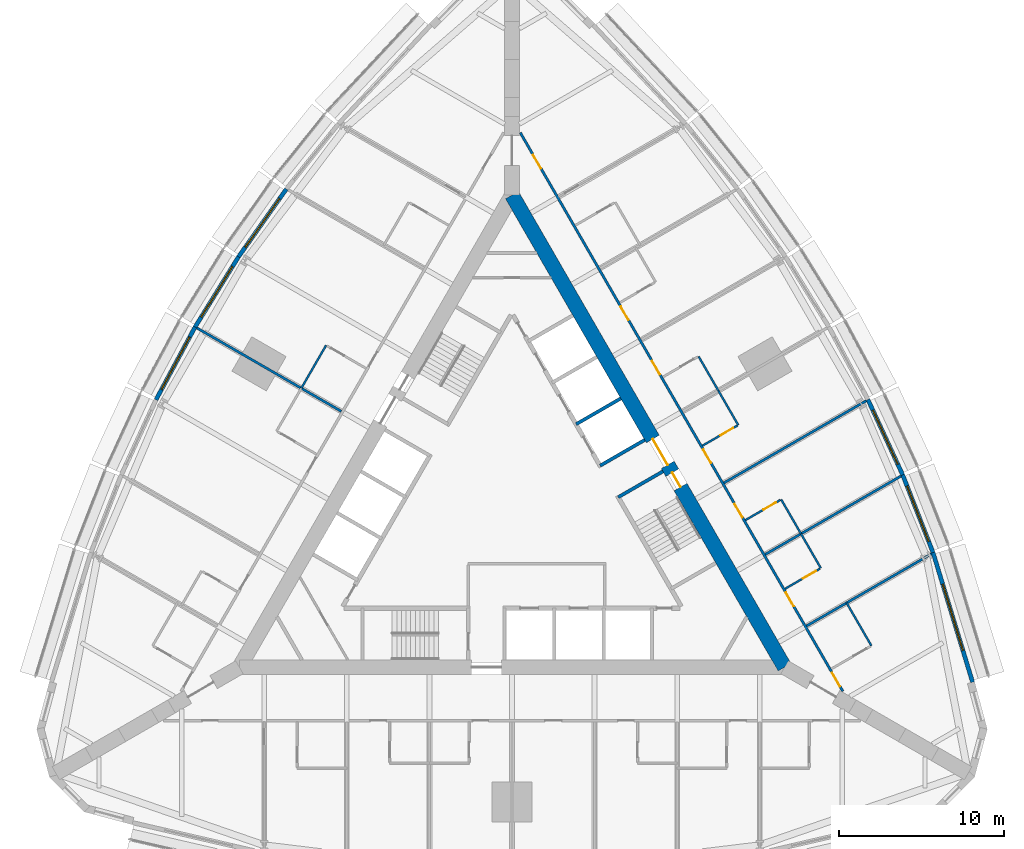
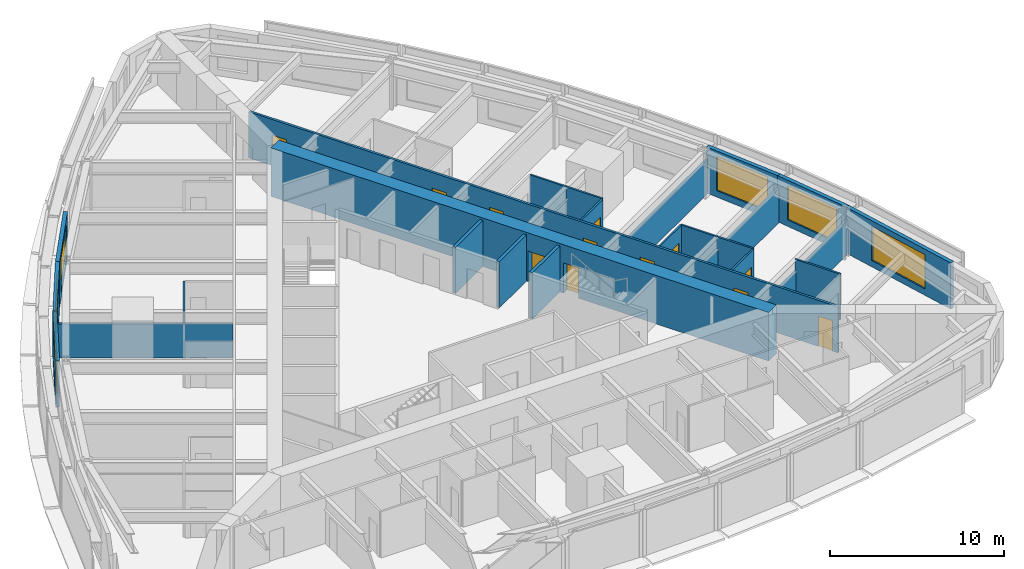
# One storey, part 11 of 14: 24 walls, 12 doors, 6 windows, 18 openings.
"""IFC4 building model written with IfcOpenShell, lengths in metres."""

from ifc_helpers import new_model, si_unit, direction, frame, frame_2d, origin, place, context, subcontext, project, spatial, rectangle, extrude, material, layer, layer_set, type_object, element, fill, save


model = new_model("IFC4")

# Units and contexts
model_context = context("Model", 3, precision=1e-05, world=origin(), true_north=direction((0.0, 1.0)))
body_context = subcontext(model_context, "Body", "Model", "MODEL_VIEW")
ifc_project = project(units=[si_unit("LENGTHUNIT", "METRE"), si_unit("AREAUNIT", "SQUARE_METRE"), si_unit("VOLUMEUNIT", "CUBIC_METRE"), si_unit("PLANEANGLEUNIT", "RADIAN"), si_unit("MASSUNIT", "GRAM", prefix="KILO")], contexts=[model_context])

# Site, building, storey
site_placement = place(None, origin())
site = spatial("IfcSite", under=ifc_project, at=site_placement, CompositionType="ELEMENT")
building_placement = place(site_placement, origin())
building = spatial("IfcBuilding", under=site, at=building_placement, Name="Trikona Tower", CompositionType="ELEMENT")
storey_placement = place(building_placement, frame((0.0, 0.0, 28.5)))
storey = spatial("IfcBuildingStorey", under=building, at=storey_placement, Name="L05", CompositionType="ELEMENT", Elevation=28.5)

# Walls
ifc_material_1 = material(Name="Metal stud and cement board", Category="gypsum")
ifc_layer_1 = layer(ifc_material_1, 0.1201171875)
ifc_layer_set_1 = layer_set([ifc_layer_1], Name="Bathroom wall 120")
wall_type_1 = type_object("IfcWallType", Name="Bathroom wall 120", PredefinedType="PLUMBINGWALL", material=ifc_layer_set_1)
wall_1_placement = place(storey_placement, frame((21.75341796875, -8.225341796875, 0.0), z_axis=(0.0, 0.0, 1.0), x_axis=(-0.499990139034, 0.866031096941, 0.0)))
element("IfcWall", 1, at=wall_1_placement, inside=storey, type_object=wall_type_1, Name="Bathroom wall 0507", PredefinedType="PLUMBINGWALL", context=body_context, shape_type="SweptSolid", body=[
    extrude(rectangle(XDim=3.0, YDim=0.1201171875, at=frame_2d((1.5, 0.0))), origin(), (0.0, 0.0, 1.0), 3.235107421875),
])
wall_2_placement = place(storey_placement, frame((18.693603515625, -3.525634765625, 0.0), z_axis=(0.0, 0.0, 1.0), x_axis=(-0.500033551112, 0.866006032174, 0.0)))
element("IfcWall", 2, at=wall_2_placement, inside=storey, type_object=wall_type_1, Name="Bathroom wall 0508", PredefinedType="PLUMBINGWALL", context=body_context, shape_type="SweptSolid", body=[
    extrude(rectangle(XDim=2.400146484375, YDim=0.1201171875, at=frame_2d((1.2001953125, 0.0))), origin(), (0.0, 0.0, 1.0), 3.235107421875),
])

# Wall, opening, door
wall_3_placement = place(storey_placement, frame((16.528564453125, -4.775634765625, 0.0), z_axis=(0.0, 0.0, 1.0), x_axis=(0.866023955769, 0.500002508028, 0.0)))
wall_3 = element("IfcWall", 3, at=wall_3_placement, inside=storey, type_object=wall_type_1, Name="Bathroom wall 0508", PredefinedType="PLUMBINGWALL", context=body_context, shape_type="SweptSolid", body=[
    extrude(rectangle(XDim=2.43994140625, YDim=0.1201171875, at=frame_2d((1.219970703125, 0.0))), origin(), (0.0, 0.0, 1.0), 3.235107421875),
])
opening_1_placement = place(wall_3_placement, frame((1.25, 0.0, 0.0)))
opening_1 = element("IfcOpeningElement", 4, at=opening_1_placement, cuts=wall_3, Name="Opening D2", PredefinedType="OPENING", context=body_context, shape_type="SweptSolid", body=[
    extrude(rectangle(XDim=0.89990234375, YDim=2.1298828125, at=frame_2d((0.449951171875, 1.06494140625))), frame((0.0, 0.070068359375, 0.0), z_axis=(0.0, -1.0, 0.0), x_axis=(1.0, 0.0, 0.0)), (0.0, 0.0, 1.0), 0.14013671875),
])
ifc_material_2 = material(Name="Steel door frame with solid-core timber leaf", Category="steel")
door_type_1 = type_object("IfcDoorType", Name="Bathroom door 900x2130", OperationType="SLIDING_TO_LEFT", PredefinedType="DOOR", material=ifc_material_2)
door_1_placement = place(opening_1_placement, origin())
door_1 = element("IfcDoor", 5, at=door_1_placement, inside=storey, type_object=door_type_1, Name="Bathroom door 0508", OperationType="SLIDING_TO_LEFT", OverallHeight=2.1298828125, OverallWidth=0.89990234375, PredefinedType="DOOR", context=body_context, shape_type="SweptSolid", body=[
    extrude(rectangle(XDim=0.89990234375, YDim=2.1298828125, at=frame_2d((0.449951171875, 1.06494140625))), frame((0.0, 0.02490234375, 0.0), z_axis=(0.0, -1.0, 0.0), x_axis=(1.0, 0.0, 0.0)), (0.0, 0.0, 1.0), 0.050048828125),
])
fill(opening_1, door_1)

# Wall
wall_4_placement = place(storey_placement, frame((17.493408203125, -1.447021484375, 0.0), z_axis=(0.0, 0.0, 1.0), x_axis=(-0.500001309137, 0.866024647952, 0.0)))
element("IfcWall", 6, at=wall_4_placement, inside=storey, type_object=wall_type_1, Name="Bathroom wall 0509", PredefinedType="PLUMBINGWALL", context=body_context, shape_type="SweptSolid", body=[
    extrude(rectangle(XDim=2.39990234375, YDim=0.1201171875, at=frame_2d((1.199951171875, 0.0))), origin(), (0.0, 0.0, 1.0), 3.235107421875),
])

# Wall, opening, door
wall_5_placement = place(storey_placement, frame((14.12841796875, -0.61865234375, 0.0), z_axis=(0.0, 0.0, 1.0), x_axis=(0.866048967903, 0.499959183527, 0.0)))
wall_5 = element("IfcWall", 7, at=wall_5_placement, inside=storey, type_object=wall_type_1, Name="Bathroom wall 0509", PredefinedType="PLUMBINGWALL", context=body_context, shape_type="SweptSolid", body=[
    extrude(rectangle(XDim=2.440185546875, YDim=0.1201171875, at=frame_2d((1.22021484375, 0.0))), origin(), (0.0, 0.0, 1.0), 3.235107421875),
])
opening_2_placement = place(wall_5_placement, frame((1.25, 0.0, 0.0)))
opening_2 = element("IfcOpeningElement", 8, at=opening_2_placement, cuts=wall_5, Name="Opening D2", PredefinedType="OPENING", context=body_context, shape_type="SweptSolid", body=[
    extrude(rectangle(XDim=0.89990234375, YDim=2.1298828125, at=frame_2d((0.449951171875, 1.06494140625))), frame((0.0, 0.070068359375, 0.0), z_axis=(0.0, -1.0, 0.0), x_axis=(1.0, 0.0, 0.0)), (0.0, 0.0, 1.0), 0.14013671875),
])
door_2_placement = place(opening_2_placement, origin())
door_2 = element("IfcDoor", 9, at=door_2_placement, inside=storey, type_object=door_type_1, Name="Bathroom door 0509", OperationType="SLIDING_TO_LEFT", OverallHeight=2.1298828125, OverallWidth=0.89990234375, PredefinedType="DOOR", context=body_context, shape_type="SweptSolid", body=[
    extrude(rectangle(XDim=0.89990234375, YDim=2.1298828125, at=frame_2d((0.449951171875, 1.06494140625))), frame((0.0, 0.02490234375, 0.0), z_axis=(0.0, -1.0, 0.0), x_axis=(1.0, 0.0, 0.0)), (0.0, 0.0, 1.0), 0.050048828125),
])
fill(opening_2, door_2)

# Wall
wall_6_placement = place(storey_placement, frame((13.693603515625, 5.134765625, 0.0), z_axis=(0.0, 0.0, 1.0), x_axis=(-0.500077600433, 0.865980596518, 0.0)))
element("IfcWall", 10, at=wall_6_placement, inside=storey, type_object=wall_type_1, Name="Bathroom wall 0510", PredefinedType="PLUMBINGWALL", context=body_context, shape_type="SweptSolid", body=[
    extrude(rectangle(XDim=2.39990234375, YDim=0.1201171875, at=frame_2d((1.199951171875, 0.0))), origin(), (0.0, 0.0, 1.0), 3.235107421875),
])

# Wall, opening, door
wall_7_placement = place(storey_placement, frame((11.528564453125, 3.884765625, 0.0), z_axis=(0.0, 0.0, 1.0), x_axis=(0.866023955769, 0.500002508028, 0.0)))
wall_7 = element("IfcWall", 11, at=wall_7_placement, inside=storey, type_object=wall_type_1, Name="Bathroom wall 0510", PredefinedType="PLUMBINGWALL", context=body_context, shape_type="SweptSolid", body=[
    extrude(rectangle(XDim=2.43994140625, YDim=0.1201171875, at=frame_2d((1.219970703125, 0.0))), origin(), (0.0, 0.0, 1.0), 3.235107421875),
])
opening_3_placement = place(wall_7_placement, frame((1.25, 0.0, 0.0)))
opening_3 = element("IfcOpeningElement", 12, at=opening_3_placement, cuts=wall_7, Name="Opening D2", PredefinedType="OPENING", context=body_context, shape_type="SweptSolid", body=[
    extrude(rectangle(XDim=0.89990234375, YDim=2.1298828125, at=frame_2d((0.449951171875, 1.06494140625))), frame((0.0, 0.070068359375, 0.0), z_axis=(0.0, -1.0, 0.0), x_axis=(1.0, 0.0, 0.0)), (0.0, 0.0, 1.0), 0.14013671875),
])
door_3_placement = place(opening_3_placement, origin())
door_3 = element("IfcDoor", 13, at=door_3_placement, inside=storey, type_object=door_type_1, Name="Bathroom door 0510", OperationType="SLIDING_TO_LEFT", OverallHeight=2.1298828125, OverallWidth=0.89990234375, PredefinedType="DOOR", context=body_context, shape_type="SweptSolid", body=[
    extrude(rectangle(XDim=0.89990234375, YDim=2.1298828125, at=frame_2d((0.449951171875, 1.06494140625))), frame((0.0, 0.02490234375, 0.0), z_axis=(0.0, -1.0, 0.0), x_axis=(1.0, 0.0, 0.0)), (0.0, 0.0, 1.0), 0.050048828125),
])
fill(opening_3, door_3)

# Walls
wall_8_placement = place(storey_placement, frame((12.493408203125, 7.213134765625, 0.0), z_axis=(0.0, 0.0, 1.0), x_axis=(-0.500001309137, 0.866024647952, 0.0)))
element("IfcWall", 14, at=wall_8_placement, inside=storey, type_object=wall_type_1, Name="Bathroom wall 0511", PredefinedType="PLUMBINGWALL", context=body_context, shape_type="SweptSolid", body=[
    extrude(rectangle(XDim=2.39990234375, YDim=0.1201171875, at=frame_2d((1.199951171875, 0.0))), origin(), (0.0, 0.0, 1.0), 3.235107421875),
])
wall_9_placement = place(storey_placement, frame((-11.25341796875, 9.961181640625, 0.0), z_axis=(0.0, 0.0, 1.0), x_axis=(-0.499990139034, -0.866031096941, 0.0)))
element("IfcWall", 15, at=wall_9_placement, inside=storey, type_object=wall_type_1, Name="Bathroom wall 0515", PredefinedType="PLUMBINGWALL", context=body_context, shape_type="SweptSolid", body=[
    extrude(rectangle(XDim=3.0, YDim=0.1201171875, at=frame_2d((1.5, 0.0))), origin(), (0.0, 0.0, 1.0), 3.235107421875),
])

# Wall, openings, doors
ifc_material_3 = material(Name="Concrete f'c 10000 psi", Category="concrete")
ifc_layer_2 = layer(ifc_material_3, 0.89990234375)
ifc_layer_set_2 = layer_set([ifc_layer_2], Name="Core wall 900")
wall_type_2 = type_object("IfcWallType", Name="Core wall 900", PredefinedType="SHEAR", material=ifc_layer_set_2)
wall_10_placement = place(storey_placement, frame((16.5, -9.5263671875, 0.0), z_axis=(0.0, 0.0, 1.0), x_axis=(-0.499999749417, 0.866025548458, 0.0)))
wall_10 = element("IfcWall", 16, at=wall_10_placement, inside=storey, type_object=wall_type_2, Name="Core wall B", PredefinedType="SHEAR", context=body_context, shape_type="SweptSolid", body=[
    extrude(rectangle(XDim=33.0, YDim=0.89990234375, at=frame_2d((16.5, 0.0))), origin(), (0.0, 0.0, 1.0), 3.39990234375),
])
opening_4_placement = place(wall_10_placement, frame((14.14990234375, 0.0, 0.0)))
opening_4 = element("IfcOpeningElement", 17, at=opening_4_placement, cuts=wall_10, Name="Opening D6", PredefinedType="OPENING", context=body_context, shape_type="SweptSolid", body=[
    extrude(rectangle(XDim=1.800048828125, YDim=2.1298828125, at=frame_2d((0.89990234375, 1.06494140625))), frame((0.0, 0.4599609375, 0.0), z_axis=(0.0, -1.0, 0.0), x_axis=(1.0, 0.0, 0.0)), (0.0, 0.0, 1.0), 0.919921875),
])
opening_5_placement = place(wall_10_placement, frame((12.60009765625, 0.0, 0.0)))
opening_5 = element("IfcOpeningElement", 18, at=opening_5_placement, cuts=wall_10, Name="Opening D5", PredefinedType="OPENING", context=body_context, shape_type="SweptSolid", body=[
    extrude(rectangle(XDim=1.0, YDim=2.1298828125, at=frame_2d((0.5, 1.06494140625))), frame((0.0, 0.4599609375, 0.0), z_axis=(0.0, -1.0, 0.0), x_axis=(1.0, 0.0, 0.0)), (0.0, 0.0, 1.0), 0.919921875),
])
ifc_material_4 = material(Name="Hollow metal door and frame", Category="steel")
door_type_2 = type_object("IfcDoorType", Name="Lobby door pair 1800x2130", OperationType="DOUBLE_DOOR_SINGLE_SWING", PredefinedType="DOOR", material=ifc_material_4)
door_4_placement = place(opening_4_placement, origin())
door_4 = element("IfcDoor", 19, at=door_4_placement, inside=storey, type_object=door_type_2, Name="Lift lobby door B", OperationType="DOUBLE_DOOR_SINGLE_SWING", OverallHeight=2.1298828125, OverallWidth=1.800048828125, PredefinedType="DOOR", context=body_context, shape_type="SweptSolid", body=[
    extrude(rectangle(XDim=1.800048828125, YDim=2.1298828125, at=frame_2d((0.89990234375, 1.06494140625))), frame((0.0, 0.02490234375, 0.0), z_axis=(0.0, -1.0, 0.0), x_axis=(1.0, 0.0, 0.0)), (0.0, 0.0, 1.0), 0.050048828125),
])
fill(opening_4, door_4)
ifc_material_5 = material(Name="Hollow metal door and frame", Category="steel")
door_type_3 = type_object("IfcDoorType", Name="Stair door 1000x2130", OperationType="SINGLE_SWING_LEFT", PredefinedType="DOOR", material=ifc_material_5)
door_5_placement = place(opening_5_placement, origin())
door_5 = element("IfcDoor", 20, at=door_5_placement, inside=storey, type_object=door_type_3, Name="Stair B door", OperationType="SINGLE_SWING_RIGHT", OverallHeight=2.1298828125, OverallWidth=1.0, PredefinedType="DOOR", context=body_context, shape_type="SweptSolid", body=[
    extrude(rectangle(XDim=1.0, YDim=2.1298828125, at=frame_2d((0.5, 1.06494140625))), frame((0.0, 0.02490234375, 0.0), z_axis=(0.0, -1.0, 0.0), x_axis=(1.0, 0.0, 0.0)), (0.0, 0.0, 1.0), 0.050048828125),
])
fill(opening_5, door_5)

ifc_material_6 = material(Name="Metal stud and gypsum board, 1-hour", Category="gypsum")
ifc_layer_3 = layer(ifc_material_6, 0.14990234375)
ifc_layer_set_3 = layer_set([ifc_layer_3], Name="Corridor wall 150")
wall_type_3 = type_object("IfcWallType", Name="Corridor wall 150", PredefinedType="PARTITIONING", material=ifc_layer_set_3)
wall_11_placement = place(storey_placement, frame((20.027099609375, -10.9853515625, 0.0), z_axis=(0.0, 0.0, 1.0), x_axis=(-0.500001677587, 0.866024435227, 0.0)))
wall_11 = element("IfcWall", 21, at=wall_11_placement, inside=storey, type_object=wall_type_3, Name="Corridor wall L05-2", PredefinedType="PARTITIONING", context=body_context, shape_type="SweptSolid", body=[
    extrude(rectangle(XDim=39.053955078125, YDim=0.14990234375, at=frame_2d((19.52685546875, 0.0))), origin(), (0.0, 0.0, 1.0), 3.235107421875),
])
opening_6_placement = place(wall_11_placement, frame((0.35205078125, 0.0, 0.0)))
opening_6 = element("IfcOpeningElement", 22, at=opening_6_placement, cuts=wall_11, Name="Opening D1", PredefinedType="OPENING", context=body_context, shape_type="SweptSolid", body=[
    extrude(rectangle(XDim=0.949951171875, YDim=2.1298828125, at=frame_2d((0.47509765625, 1.06494140625))), frame((0.0, 0.0849609375, 0.0), z_axis=(0.0, -1.0, 0.0), x_axis=(1.0, 0.0, 0.0)), (0.0, 0.0, 1.0), 0.169921875),
])
opening_7_placement = place(wall_11_placement, frame((5.951904296875, 0.0, 0.0)))
opening_7 = element("IfcOpeningElement", 23, at=opening_7_placement, cuts=wall_11, Name="Opening D1", PredefinedType="OPENING", context=body_context, shape_type="SweptSolid", body=[
    extrude(rectangle(XDim=0.949951171875, YDim=2.1298828125, at=frame_2d((0.47509765625, 1.06494140625))), frame((0.0, 0.0849609375, 0.0), z_axis=(0.0, -1.0, 0.0), x_axis=(1.0, 0.0, 0.0)), (0.0, 0.0, 1.0), 0.169921875),
])
opening_8_placement = place(wall_11_placement, frame((12.152099609375, 0.0, 0.0)))
opening_8 = element("IfcOpeningElement", 24, at=opening_8_placement, cuts=wall_11, Name="Opening D1", PredefinedType="OPENING", context=body_context, shape_type="SweptSolid", body=[
    extrude(rectangle(XDim=0.949951171875, YDim=2.1298828125, at=frame_2d((0.47509765625, 1.06494140625))), frame((0.0, 0.0849609375, 0.0), z_axis=(0.0, -1.0, 0.0), x_axis=(1.0, 0.0, 0.0)), (0.0, 0.0, 1.0), 0.169921875),
])
opening_9_placement = place(wall_11_placement, frame((15.951904296875, 0.0, 0.0)))
opening_9 = element("IfcOpeningElement", 25, at=opening_9_placement, cuts=wall_11, Name="Opening D1", PredefinedType="OPENING", context=body_context, shape_type="SweptSolid", body=[
    extrude(rectangle(XDim=0.949951171875, YDim=2.1298828125, at=frame_2d((0.47509765625, 1.06494140625))), frame((0.0, 0.0849609375, 0.0), z_axis=(0.0, -1.0, 0.0), x_axis=(1.0, 0.0, 0.0)), (0.0, 0.0, 1.0), 0.169921875),
])
opening_10_placement = place(wall_11_placement, frame((22.152099609375, 0.0, 0.0)))
opening_10 = element("IfcOpeningElement", 26, at=opening_10_placement, cuts=wall_11, Name="Opening D1", PredefinedType="OPENING", context=body_context, shape_type="SweptSolid", body=[
    extrude(rectangle(XDim=0.949951171875, YDim=2.1298828125, at=frame_2d((0.47509765625, 1.06494140625))), frame((0.0, 0.0849609375, 0.0), z_axis=(0.0, -1.0, 0.0), x_axis=(1.0, 0.0, 0.0)), (0.0, 0.0, 1.0), 0.169921875),
])
opening_11_placement = place(wall_11_placement, frame((25.951904296875, 0.0, 0.0)))
opening_11 = element("IfcOpeningElement", 27, at=opening_11_placement, cuts=wall_11, Name="Opening D1", PredefinedType="OPENING", context=body_context, shape_type="SweptSolid", body=[
    extrude(rectangle(XDim=0.949951171875, YDim=2.1298828125, at=frame_2d((0.47509765625, 1.06494140625))), frame((0.0, 0.0849609375, 0.0), z_axis=(0.0, -1.0, 0.0), x_axis=(1.0, 0.0, 0.0)), (0.0, 0.0, 1.0), 0.169921875),
])
opening_12_placement = place(wall_11_placement, frame((36.545654296875, 0.0, 0.0)))
opening_12 = element("IfcOpeningElement", 28, at=opening_12_placement, cuts=wall_11, Name="Opening D1", PredefinedType="OPENING", context=body_context, shape_type="SweptSolid", body=[
    extrude(rectangle(XDim=0.949951171875, YDim=2.1298828125, at=frame_2d((0.47509765625, 1.06494140625))), frame((0.0, 0.0849609375, 0.0), z_axis=(0.0, -1.0, 0.0), x_axis=(1.0, 0.0, 0.0)), (0.0, 0.0, 1.0), 0.169921875),
])
ifc_material_7 = material(Name="Steel door frame with solid-core timber leaf", Category="steel")
door_type_4 = type_object("IfcDoorType", Name="Guest room door 950x2130", OperationType="SINGLE_SWING_LEFT", PredefinedType="DOOR", material=ifc_material_7)
door_6_placement = place(opening_6_placement, origin())
door_6 = element("IfcDoor", 29, at=door_6_placement, inside=storey, type_object=door_type_4, Name="Room door 0507", OperationType="SINGLE_SWING_LEFT", OverallHeight=2.1298828125, OverallWidth=0.949951171875, PredefinedType="DOOR", context=body_context, shape_type="SweptSolid", body=[
    extrude(rectangle(XDim=0.949951171875, YDim=2.1298828125, at=frame_2d((0.47509765625, 1.06494140625))), frame((0.0, 0.02490234375, 0.0), z_axis=(0.0, -1.0, 0.0), x_axis=(1.0, 0.0, 0.0)), (0.0, 0.0, 1.0), 0.050048828125),
])
fill(opening_6, door_6)
door_7_placement = place(opening_7_placement, origin())
door_7 = element("IfcDoor", 30, at=door_7_placement, inside=storey, type_object=door_type_4, Name="Room door 0508", OperationType="SINGLE_SWING_RIGHT", OverallHeight=2.1298828125, OverallWidth=0.949951171875, PredefinedType="DOOR", context=body_context, shape_type="SweptSolid", body=[
    extrude(rectangle(XDim=0.949951171875, YDim=2.1298828125, at=frame_2d((0.47509765625, 1.06494140625))), frame((0.0, 0.02490234375, 0.0), z_axis=(0.0, -1.0, 0.0), x_axis=(1.0, 0.0, 0.0)), (0.0, 0.0, 1.0), 0.050048828125),
])
fill(opening_7, door_7)
door_8_placement = place(opening_8_placement, origin())
door_8 = element("IfcDoor", 31, at=door_8_placement, inside=storey, type_object=door_type_4, Name="Room door 0509", OperationType="SINGLE_SWING_LEFT", OverallHeight=2.1298828125, OverallWidth=0.949951171875, PredefinedType="DOOR", context=body_context, shape_type="SweptSolid", body=[
    extrude(rectangle(XDim=0.949951171875, YDim=2.1298828125, at=frame_2d((0.47509765625, 1.06494140625))), frame((0.0, 0.02490234375, 0.0), z_axis=(0.0, -1.0, 0.0), x_axis=(1.0, 0.0, 0.0)), (0.0, 0.0, 1.0), 0.050048828125),
])
fill(opening_8, door_8)
door_9_placement = place(opening_9_placement, origin())
door_9 = element("IfcDoor", 32, at=door_9_placement, inside=storey, type_object=door_type_4, Name="Room door 0510", OperationType="SINGLE_SWING_RIGHT", OverallHeight=2.1298828125, OverallWidth=0.949951171875, PredefinedType="DOOR", context=body_context, shape_type="SweptSolid", body=[
    extrude(rectangle(XDim=0.949951171875, YDim=2.1298828125, at=frame_2d((0.47509765625, 1.06494140625))), frame((0.0, 0.02490234375, 0.0), z_axis=(0.0, -1.0, 0.0), x_axis=(1.0, 0.0, 0.0)), (0.0, 0.0, 1.0), 0.050048828125),
])
fill(opening_9, door_9)
door_10_placement = place(opening_10_placement, origin())
door_10 = element("IfcDoor", 33, at=door_10_placement, inside=storey, type_object=door_type_4, Name="Room door 0511", OperationType="SINGLE_SWING_LEFT", OverallHeight=2.1298828125, OverallWidth=0.949951171875, PredefinedType="DOOR", context=body_context, shape_type="SweptSolid", body=[
    extrude(rectangle(XDim=0.949951171875, YDim=2.1298828125, at=frame_2d((0.47509765625, 1.06494140625))), frame((0.0, 0.02490234375, 0.0), z_axis=(0.0, -1.0, 0.0), x_axis=(1.0, 0.0, 0.0)), (0.0, 0.0, 1.0), 0.050048828125),
])
fill(opening_10, door_10)
door_11_placement = place(opening_11_placement, origin())
door_11 = element("IfcDoor", 34, at=door_11_placement, inside=storey, type_object=door_type_4, Name="Room door 0512", OperationType="SINGLE_SWING_RIGHT", OverallHeight=2.1298828125, OverallWidth=0.949951171875, PredefinedType="DOOR", context=body_context, shape_type="SweptSolid", body=[
    extrude(rectangle(XDim=0.949951171875, YDim=2.1298828125, at=frame_2d((0.47509765625, 1.06494140625))), frame((0.0, 0.02490234375, 0.0), z_axis=(0.0, -1.0, 0.0), x_axis=(1.0, 0.0, 0.0)), (0.0, 0.0, 1.0), 0.050048828125),
])
fill(opening_11, door_11)
door_12_placement = place(opening_12_placement, origin())
door_12 = element("IfcDoor", 35, at=door_12_placement, inside=storey, type_object=door_type_4, Name="Room door 0513", OperationType="SINGLE_SWING_RIGHT", OverallHeight=2.1298828125, OverallWidth=0.949951171875, PredefinedType="DOOR", context=body_context, shape_type="SweptSolid", body=[
    extrude(rectangle(XDim=0.949951171875, YDim=2.1298828125, at=frame_2d((0.47509765625, 1.06494140625))), frame((0.0, 0.02490234375, 0.0), z_axis=(0.0, -1.0, 0.0), x_axis=(1.0, 0.0, 0.0)), (0.0, 0.0, 1.0), 0.050048828125),
])
fill(opening_12, door_12)

# Wall, opening, window
ifc_material_8 = material(Name="Insulated precast concrete spandrel panel", Category="concrete")
ifc_layer_4 = layer(ifc_material_8, 0.25)
ifc_layer_set_4 = layer_set([ifc_layer_4], Name="Inner skin wall 250")
wall_type_4 = type_object("IfcWallType", Name="Inner skin wall 250", PredefinedType="STANDARD", material=ifc_layer_set_4)
wall_12_placement = place(storey_placement, frame((27.88037109375, -10.4287109375, 0.0), z_axis=(0.0, 0.0, 1.0), x_axis=(-0.2919790669, 0.956424709265, 0.0)))
wall_12 = element("IfcWall", 36, at=wall_12_placement, inside=storey, type_object=wall_type_4, Name="External wall L05-12", PredefinedType="STANDARD", context=body_context, shape_type="SweptSolid", body=[
    extrude(rectangle(XDim=8.211181640625, YDim=0.25, at=frame_2d((4.10546875, 0.0))), origin(), (0.0, 0.0, 1.0), 3.235107421875),
])
opening_13_placement = place(wall_12_placement, frame((2.005615234375, 0.0, 0.449951171875)))
opening_13 = element("IfcOpeningElement", 37, at=opening_13_placement, cuts=wall_12, Name="Opening W4224", PredefinedType="OPENING", context=body_context, shape_type="SweptSolid", body=[
    extrude(rectangle(XDim=4.199951171875, YDim=2.39990234375, at=frame_2d((2.10009765625, 1.199951171875))), frame((0.0, 0.135009765625, 0.0), z_axis=(0.0, -1.0, 0.0), x_axis=(1.0, 0.0, 0.0)), (0.0, 0.0, 1.0), 0.27001953125),
])
ifc_material_9 = material(Name="Aluminium-framed double glazing", Category="aluminium")
window_type_1 = type_object("IfcWindowType", Name="Window 4200x2400", PartitioningType="SINGLE_PANEL", PredefinedType="WINDOW", material=ifc_material_9)
window_1_placement = place(opening_13_placement, origin())
window_1 = element("IfcWindow", 38, at=window_1_placement, inside=storey, type_object=window_type_1, Name="Window 0507", OverallHeight=2.39990234375, OverallWidth=4.199951171875, PartitioningType="SINGLE_PANEL", PredefinedType="WINDOW", context=body_context, shape_type="SweptSolid", body=[
    extrude(rectangle(XDim=4.199951171875, YDim=2.39990234375, at=frame_2d((2.10009765625, 1.199951171875))), frame((0.0, 0.030029296875, 0.0), z_axis=(0.0, -1.0, 0.0), x_axis=(1.0, 0.0, 0.0)), (0.0, 0.0, 1.0), 0.06005859375),
])
fill(opening_13, window_1)

wall_13_placement = place(storey_placement, frame((25.486083984375, -2.58447265625, 0.0), z_axis=(0.0, 0.0, 1.0), x_axis=(-0.364013463868, 0.931393685894, 0.0)))
wall_13 = element("IfcWall", 39, at=wall_13_placement, inside=storey, type_object=wall_type_4, Name="External wall L05-13", PredefinedType="STANDARD", context=body_context, shape_type="SweptSolid", body=[
    extrude(rectangle(XDim=5.0576171875, YDim=0.25, at=frame_2d((2.52880859375, 0.0))), origin(), (0.0, 0.0, 1.0), 3.235107421875),
])
opening_14_placement = place(wall_13_placement, frame((0.728759765625, 0.0, 0.449951171875)))
opening_14 = element("IfcOpeningElement", 40, at=opening_14_placement, cuts=wall_13, Name="Opening W3624", PredefinedType="OPENING", context=body_context, shape_type="SweptSolid", body=[
    extrude(rectangle(XDim=3.60009765625, YDim=2.39990234375, at=frame_2d((1.800048828125, 1.199951171875))), frame((0.0, 0.135009765625, 0.0), z_axis=(0.0, -1.0, 0.0), x_axis=(1.0, 0.0, 0.0)), (0.0, 0.0, 1.0), 0.27001953125),
])
ifc_material_10 = material(Name="Aluminium-framed double glazing", Category="aluminium")
window_type_2 = type_object("IfcWindowType", Name="Window 3600x2400", PartitioningType="SINGLE_PANEL", PredefinedType="WINDOW", material=ifc_material_10)
window_2_placement = place(opening_14_placement, origin())
window_2 = element("IfcWindow", 41, at=window_2_placement, inside=storey, type_object=window_type_2, Name="Window 0508", OverallHeight=2.39990234375, OverallWidth=3.60009765625, PartitioningType="SINGLE_PANEL", PredefinedType="WINDOW", context=body_context, shape_type="SweptSolid", body=[
    extrude(rectangle(XDim=3.60009765625, YDim=2.39990234375, at=frame_2d((1.800048828125, 1.199951171875))), frame((0.0, 0.030029296875, 0.0), z_axis=(0.0, -1.0, 0.0), x_axis=(1.0, 0.0, 0.0)), (0.0, 0.0, 1.0), 0.06005859375),
])
fill(opening_14, window_2)

wall_14_placement = place(storey_placement, frame((23.64794921875, 2.119384765625, 0.0), z_axis=(0.0, 0.0, 1.0), x_axis=(-0.419203100754, 0.907892482796, 0.0)))
wall_14 = element("IfcWall", 42, at=wall_14_placement, inside=storey, type_object=wall_type_4, Name="External wall L05-14", PredefinedType="STANDARD", context=body_context, shape_type="SweptSolid", body=[
    extrude(rectangle(XDim=5.020751953125, YDim=0.25, at=frame_2d((2.51025390625, 0.0))), origin(), (0.0, 0.0, 1.0), 3.235107421875),
])
opening_15_placement = place(wall_14_placement, frame((0.71044921875, 0.0, 0.449951171875)))
opening_15 = element("IfcOpeningElement", 43, at=opening_15_placement, cuts=wall_14, Name="Opening W3624", PredefinedType="OPENING", context=body_context, shape_type="SweptSolid", body=[
    extrude(rectangle(XDim=3.60009765625, YDim=2.39990234375, at=frame_2d((1.800048828125, 1.199951171875))), frame((0.0, 0.135009765625, 0.0), z_axis=(0.0, -1.0, 0.0), x_axis=(1.0, 0.0, 0.0)), (0.0, 0.0, 1.0), 0.27001953125),
])
window_3_placement = place(opening_15_placement, origin())
window_3 = element("IfcWindow", 44, at=window_3_placement, inside=storey, type_object=window_type_2, Name="Window 0509", OverallHeight=2.39990234375, OverallWidth=3.60009765625, PartitioningType="SINGLE_PANEL", PredefinedType="WINDOW", context=body_context, shape_type="SweptSolid", body=[
    extrude(rectangle(XDim=3.60009765625, YDim=2.39990234375, at=frame_2d((1.800048828125, 1.199951171875))), frame((0.0, 0.030029296875, 0.0), z_axis=(0.0, -1.0, 0.0), x_axis=(1.0, 0.0, 0.0)), (0.0, 0.0, 1.0), 0.06005859375),
])
fill(opening_15, window_3)

wall_15_placement = place(storey_placement, frame((-13.659423828125, 19.420166015625, 0.0), z_axis=(0.0, 0.0, 1.0), x_axis=(-0.5766431066, -0.81699616132, 0.0)))
wall_15 = element("IfcWall", 45, at=wall_15_placement, inside=storey, type_object=wall_type_4, Name="External wall L05-26", PredefinedType="STANDARD", context=body_context, shape_type="SweptSolid", body=[
    extrude(rectangle(XDim=5.02099609375, YDim=0.25, at=frame_2d((2.510498046875, 0.0))), origin(), (0.0, 0.0, 1.0), 3.235107421875),
])
opening_16_placement = place(wall_15_placement, frame((0.71044921875, 0.0, 0.449951171875)))
opening_16 = element("IfcOpeningElement", 46, at=opening_16_placement, cuts=wall_15, Name="Opening W3624", PredefinedType="OPENING", context=body_context, shape_type="SweptSolid", body=[
    extrude(rectangle(XDim=3.60009765625, YDim=2.39990234375, at=frame_2d((1.800048828125, 1.199951171875))), frame((0.0, 0.135009765625, 0.0), z_axis=(0.0, -1.0, 0.0), x_axis=(1.0, 0.0, 0.0)), (0.0, 0.0, 1.0), 0.27001953125),
])
window_4_placement = place(opening_16_placement, origin())
window_4 = element("IfcWindow", 47, at=window_4_placement, inside=storey, type_object=window_type_2, Name="Window 0515", OverallHeight=2.39990234375, OverallWidth=3.60009765625, PartitioningType="SINGLE_PANEL", PredefinedType="WINDOW", context=body_context, shape_type="SweptSolid", body=[
    extrude(rectangle(XDim=3.60009765625, YDim=2.39990234375, at=frame_2d((1.800048828125, 1.199951171875))), frame((0.0, 0.030029296875, 0.0), z_axis=(0.0, -1.0, 0.0), x_axis=(1.0, 0.0, 0.0)), (0.0, 0.0, 1.0), 0.06005859375),
])
fill(opening_16, window_4)

wall_16_placement = place(storey_placement, frame((-16.550537109375, 15.324462890625, 0.0), z_axis=(0.0, 0.0, 1.0), x_axis=(-0.526132807704, -0.850402415717, 0.0)))
wall_16 = element("IfcWall", 48, at=wall_16_placement, inside=storey, type_object=wall_type_4, Name="External wall L05-27", PredefinedType="STANDARD", context=body_context, shape_type="SweptSolid", body=[
    extrude(rectangle(XDim=5.002197265625, YDim=0.25, at=frame_2d((2.5009765625, 0.0))), origin(), (0.0, 0.0, 1.0), 3.235107421875),
])
opening_17_placement = place(wall_16_placement, frame((0.701171875, 0.0, 0.449951171875)))
opening_17 = element("IfcOpeningElement", 49, at=opening_17_placement, cuts=wall_16, Name="Opening W3624", PredefinedType="OPENING", context=body_context, shape_type="SweptSolid", body=[
    extrude(rectangle(XDim=3.60009765625, YDim=2.39990234375, at=frame_2d((1.800048828125, 1.199951171875))), frame((0.0, 0.135009765625, 0.0), z_axis=(0.0, -1.0, 0.0), x_axis=(1.0, 0.0, 0.0)), (0.0, 0.0, 1.0), 0.27001953125),
])
window_5_placement = place(opening_17_placement, origin())
window_5 = element("IfcWindow", 50, at=window_5_placement, inside=storey, type_object=window_type_2, Name="Window 0515", OverallHeight=2.39990234375, OverallWidth=3.60009765625, PartitioningType="SINGLE_PANEL", PredefinedType="WINDOW", context=body_context, shape_type="SweptSolid", body=[
    extrude(rectangle(XDim=3.60009765625, YDim=2.39990234375, at=frame_2d((1.800048828125, 1.199951171875))), frame((0.0, 0.030029296875, 0.0), z_axis=(0.0, -1.0, 0.0), x_axis=(1.0, 0.0, 0.0)), (0.0, 0.0, 1.0), 0.06005859375),
])
fill(opening_17, window_5)

wall_17_placement = place(storey_placement, frame((-19.178466796875, 11.0771484375, 0.0), z_axis=(0.0, 0.0, 1.0), x_axis=(-0.473412820489, -0.880840678782, 0.0)))
wall_17 = element("IfcWall", 51, at=wall_17_placement, inside=storey, type_object=wall_type_4, Name="External wall L05-28", PredefinedType="STANDARD", context=body_context, shape_type="SweptSolid", body=[
    extrude(rectangle(XDim=5.00244140625, YDim=0.25, at=frame_2d((2.501220703125, 0.0))), origin(), (0.0, 0.0, 1.0), 3.235107421875),
])
opening_18_placement = place(wall_17_placement, frame((0.701171875, 0.0, 0.449951171875)))
opening_18 = element("IfcOpeningElement", 52, at=opening_18_placement, cuts=wall_17, Name="Opening W3624", PredefinedType="OPENING", context=body_context, shape_type="SweptSolid", body=[
    extrude(rectangle(XDim=3.60009765625, YDim=2.39990234375, at=frame_2d((1.800048828125, 1.199951171875))), frame((0.0, 0.135009765625, 0.0), z_axis=(0.0, -1.0, 0.0), x_axis=(1.0, 0.0, 0.0)), (0.0, 0.0, 1.0), 0.27001953125),
])
window_6_placement = place(opening_18_placement, origin())
window_6 = element("IfcWindow", 53, at=window_6_placement, inside=storey, type_object=window_type_2, Name="Window 0516", OverallHeight=2.39990234375, OverallWidth=3.60009765625, PartitioningType="SINGLE_PANEL", PredefinedType="WINDOW", context=body_context, shape_type="SweptSolid", body=[
    extrude(rectangle(XDim=3.60009765625, YDim=2.39990234375, at=frame_2d((1.800048828125, 1.199951171875))), frame((0.0, 0.030029296875, 0.0), z_axis=(0.0, -1.0, 0.0), x_axis=(1.0, 0.0, 0.0)), (0.0, 0.0, 1.0), 0.06005859375),
])
fill(opening_18, window_6)

# Walls
ifc_material_11 = material(Name="Metal stud and gypsum board, 1-hour acoustic", Category="gypsum")
ifc_layer_5 = layer(ifc_material_11, 0.14990234375)
ifc_layer_set_5 = layer_set([ifc_layer_5], Name="Party wall 150")
wall_type_5 = type_object("IfcWallType", Name="Party wall 150", PredefinedType="PARTITIONING", material=ifc_layer_set_5)
wall_18_placement = place(storey_placement, frame((17.82861328125, -7.027099609375, 0.0), z_axis=(0.0, 0.0, 1.0), x_axis=(0.866032659912, 0.499987431809, 0.0)))
element("IfcWall", 54, at=wall_18_placement, inside=storey, type_object=wall_type_5, Name="Partition L05 F2 u-15", PredefinedType="PARTITIONING", context=body_context, shape_type="SweptSolid", body=[
    extrude(rectangle(XDim=8.719970703125, YDim=0.14990234375, at=frame_2d((4.35986328125, 0.0))), origin(), (0.0, 0.0, 1.0), 2.38916015625),
])
wall_19_placement = place(storey_placement, frame((15.32861328125, -2.697021484375, 0.0), z_axis=(0.0, 0.0, 1.0), x_axis=(0.866018409083, 0.500012114982, 0.0)))
element("IfcWall", 55, at=wall_19_placement, inside=storey, type_object=wall_type_5, Name="Partition L05 F2 u-10", PredefinedType="PARTITIONING", context=body_context, shape_type="SweptSolid", body=[
    extrude(rectangle(XDim=9.484619140625, YDim=0.14990234375, at=frame_2d((4.7421875, 0.0))), origin(), (0.0, 0.0, 1.0), 2.38916015625),
])
wall_20_placement = place(storey_placement, frame((12.82861328125, 1.633056640625, 0.0), z_axis=(0.0, 0.0, 1.0), x_axis=(0.866026934769, 0.499997348248, 0.0)))
element("IfcWall", 56, at=wall_20_placement, inside=storey, type_object=wall_type_5, Name="Partition L05 F2 u-5", PredefinedType="PARTITIONING", context=body_context, shape_type="SweptSolid", body=[
    extrude(rectangle(XDim=9.94287109375, YDim=0.14990234375, at=frame_2d((4.971435546875, 0.0))), origin(), (0.0, 0.0, 1.0), 2.38916015625),
])
wall_21_placement = place(storey_placement, frame((-10.32861328125, 5.963134765625, 0.0), z_axis=(0.0, 0.0, 1.0), x_axis=(-0.866021688545, 0.500006434927, 0.0)))
element("IfcWall", 57, at=wall_21_placement, inside=storey, type_object=wall_type_5, Name="Partition L05 F3 u-5.10703e-15", PredefinedType="PARTITIONING", context=body_context, shape_type="SweptSolid", body=[
    extrude(rectangle(XDim=10.095947265625, YDim=0.14990234375, at=frame_2d((5.0478515625, 0.0))), origin(), (0.0, 0.0, 1.0), 2.38916015625),
])
ifc_material_12 = material(Name="Concrete f'c 8000 psi", Category="concrete")
ifc_layer_6 = layer(ifc_material_12, 0.199951171875)
ifc_layer_set_6 = layer_set([ifc_layer_6], Name="Shaft wall 200")
wall_type_6 = type_object("IfcWallType", Name="Shaft wall 200", PredefinedType="SOLIDWALL", material=ifc_layer_set_6)
for number, where, z_axis, x_axis, name in (
    (58, (5.3291015625, 2.672607421875, 0.0), (0.0, 0.0, 1.0), (0.866022959057, 0.500004234368, 0.0), "Shaft wall B3"),
    (59, (3.87890625, 5.18408203125, 0.0), (0.0, 0.0, 1.0), (0.866022959057, 0.500004234368, 0.0), "Shaft wall B4"),
):
    element("IfcWall", number, at=place(storey_placement, frame(where, z_axis=z_axis, x_axis=x_axis)), inside=storey, type_object=wall_type_6, Name=name, PredefinedType="SOLIDWALL", context=body_context, shape_type="SweptSolid", body=[
        extrude(rectangle(XDim=3.125, YDim=0.199951171875, at=frame_2d((1.5625, 0.0))), origin(), (0.0, 0.0, 1.0), 3.235107421875),
    ])
ifc_material_13 = material(Name="Concrete f'c 8000 psi", Category="concrete")
ifc_layer_7 = layer(ifc_material_13, 0.199951171875)
ifc_layer_set_7 = layer_set([ifc_layer_7], Name="Shaft wall 200 load-bearing")
wall_type_7 = type_object("IfcWallType", Name="Shaft wall 200 load-bearing", PredefinedType="SOLIDWALL", material=ifc_layer_set_7)
wall_22_placement = place(storey_placement, frame((6.428955078125, 0.767333984375, 0.0), z_axis=(0.0, 0.0, 1.0), x_axis=(0.866022959057, 0.500004234368, 0.0)))
element("IfcWall", 60, at=wall_22_placement, inside=storey, type_object=wall_type_7, Name="Shaft wall B2", PredefinedType="SOLIDWALL", context=body_context, shape_type="SweptSolid", body=[
    extrude(rectangle(XDim=3.125, YDim=0.199951171875, at=frame_2d((1.5625, 0.0))), origin(), (0.0, 0.0, 1.0), 3.235107421875),
])

save(model, "model.ifc")
